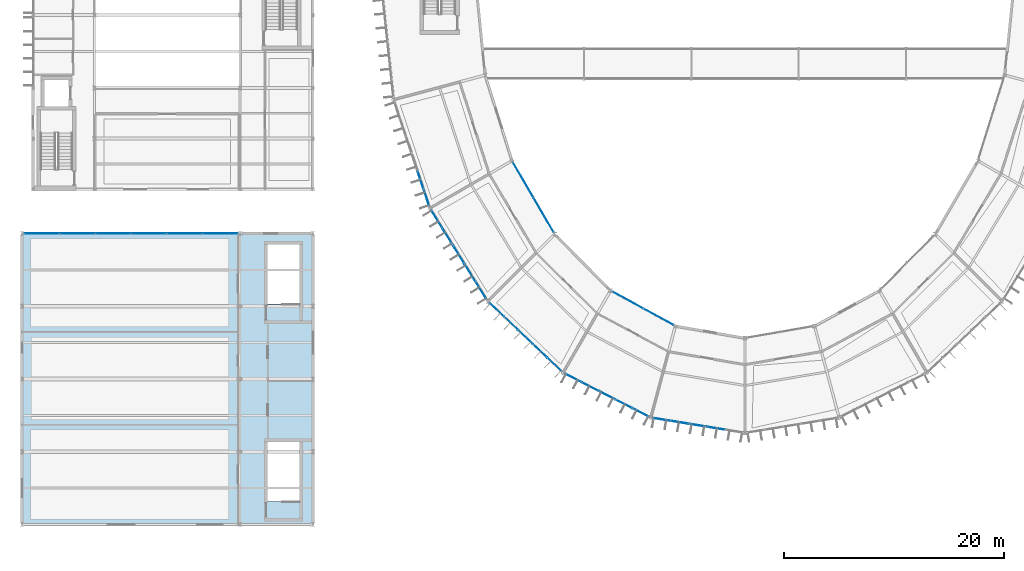
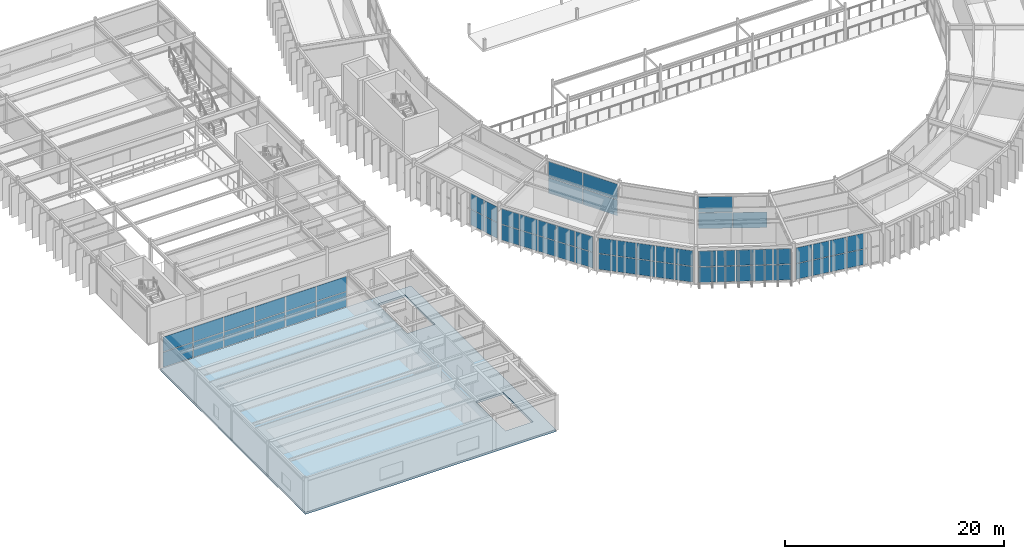
# One storey, part 99 of 147: 61 plates, 1 slab, 8 elements without a shape of their own.
"""IFC4 building model written with IfcOpenShell, lengths in metres."""

import ifcopenshell
import ifcopenshell.guid

model = None  # the IFC model being written
_history = None  # IfcOwnerHistory: only IFC2X3 demands one
_inside = {}  # id of a spatial element -> (the spatial element, [elements in it])
_under = {}  # id of a project, library or spatial element -> (it, [spatial elements below it])
_declared = {}  # id of a project -> (the project, [libraries it declares])
_typed = {}  # id of a type object -> (the type object, [elements of that type])
_made_of = {}  # id of a material, layer set ... -> (it, [elements and type objects made of it])


def new_model(schema):
    """Start an empty IFC model of exactly this schema.

    Asked for "IFC4X3", IfcOpenShell would pick the latest addendum, in which some entities
    have other attributes; the version numbers below select the first issue.
    IFC2X3 requires an IfcOwnerHistory on every rooted entity: one is made here for all.
    """
    global model, _history
    if schema == "IFC4X3":
        model = ifcopenshell.file(schema_version=(4, 3, 0, 0))
    else:
        model = ifcopenshell.file(schema=schema)
    _inside.clear()
    _under.clear()
    _declared.clear()
    _typed.clear()
    _made_of.clear()
    _history = None
    if model.schema == "IFC2X3":
        org = make("IfcOrganization", Name="unknown")
        user = make(
            "IfcPersonAndOrganization",
            ThePerson=make("IfcPerson", FamilyName="unknown"),
            TheOrganization=org,
        )
        app = make(
            "IfcApplication",
            ApplicationDeveloper=org,
            Version="unknown",
            ApplicationFullName="unknown",
            ApplicationIdentifier="unknown",
        )
        _history = make(
            "IfcOwnerHistory",
            OwningUser=user,
            OwningApplication=app,
            ChangeAction="ADDED",
            CreationDate=0,
        )
    return model


def make(cls, **values):
    """One entity of the class cls with the attributes given. An attribute that is None is left unset."""
    return model.create_entity(
        cls, **{name: value for name, value in values.items() if value is not None}
    )


def rooted(cls, **values):
    """An entity with a GlobalId (a new one), such as an element, a storey or a relation."""
    return make(cls, GlobalId=ifcopenshell.guid.new(), OwnerHistory=_history, **values)


def si_unit(unit_type, name, prefix=None):
    """IfcSIUnit, for example si_unit("LENGTHUNIT", "METRE", prefix="MILLI")."""
    return make("IfcSIUnit", UnitType=unit_type, Prefix=prefix, Name=name)


def assignment(units):
    """IfcUnitAssignment: the units of a project."""
    return None if units is None else make("IfcUnitAssignment", Units=units)


def point(xyz):
    """IfcCartesianPoint."""
    return None if xyz is None else make("IfcCartesianPoint", Coordinates=xyz)


def direction(xyz):
    """IfcDirection."""
    return None if xyz is None else make("IfcDirection", DirectionRatios=xyz)


def frame(location, z_axis=None, x_axis=None):
    """IfcAxis2Placement3D, a coordinate frame: its origin and axes. An axis left out is left unset."""
    return make(
        "IfcAxis2Placement3D",
        Location=point(location),
        Axis=direction(z_axis),
        RefDirection=direction(x_axis),
    )


def frame_2d(location, x_axis=None):
    """IfcAxis2Placement2D, a coordinate frame in the plane: its origin and x axis."""
    return make(
        "IfcAxis2Placement2D", Location=point(location), RefDirection=direction(x_axis)
    )


def origin():
    """The frame at (0, 0, 0) with its axes left unset."""
    return frame((0.0, 0.0, 0.0))


def origin_2d():
    """The frame at (0, 0) in the plane with its x axis left unset."""
    return frame_2d((0.0, 0.0))


def place(relative_to, where):
    """IfcLocalPlacement: puts the frame where relative to a parent placement (None: the world)."""
    return make(
        "IfcLocalPlacement", PlacementRelTo=relative_to, RelativePlacement=where
    )


def context(
    kind, dimensions, precision=None, world=None, true_north=None, identifier=None
):
    """IfcGeometricRepresentationContext, for example the 3D "Model" context."""
    return make(
        "IfcGeometricRepresentationContext",
        ContextIdentifier=identifier,
        ContextType=kind,
        CoordinateSpaceDimension=dimensions,
        Precision=precision,
        WorldCoordinateSystem=world,
        TrueNorth=true_north,
    )


def subcontext(parent, identifier, kind, view, scale=None):
    """IfcGeometricRepresentationSubContext, for example "Body" below "Model"."""
    return make(
        "IfcGeometricRepresentationSubContext",
        ContextIdentifier=identifier,
        ContextType=kind,
        ParentContext=parent,
        TargetScale=scale,
        TargetView=view,
    )


def project(units=None, contexts=None):
    """IfcProject with its units and contexts."""
    return rooted(
        "IfcProject",
        Name="project",
        RepresentationContexts=contexts,
        UnitsInContext=assignment(units),
    )


def spatial(cls, under=None, at=None, **own):
    """A site, building, storey or space (cls), placed at a placement, below another one or the project."""
    s = rooted(cls, ObjectPlacement=at, **own)
    if under is not None:
        _under.setdefault(under.id(), (under, []))[1].append(s)
    return s


def polyline(points):
    """IfcPolyline through the points."""
    return make("IfcPolyline", Points=[point(p) for p in points])


def profile(cls, at=None, kind="AREA", **sizes):
    """A parametric profile (cls). Its sizes go by their IFC names, for example OverallWidth=200.0."""
    return make(cls, ProfileType=kind, Position=at, **sizes)


def rectangle(**sizes):
    """IfcRectangleProfileDef."""
    return profile("IfcRectangleProfileDef", **sizes)


def outline(outer, holes=None, kind="AREA"):
    """IfcArbitraryClosedProfileDef: a profile drawn as a closed curve; with holes, ...WithVoids."""
    if holes is None:
        return make("IfcArbitraryClosedProfileDef", ProfileType=kind, OuterCurve=outer)
    return make(
        "IfcArbitraryProfileDefWithVoids",
        ProfileType=kind,
        OuterCurve=outer,
        InnerCurves=holes,
    )


def extrude(swept, where, along, depth):
    """IfcExtrudedAreaSolid: the profile swept, set in the frame where, extruded along a direction by depth."""
    return make(
        "IfcExtrudedAreaSolid",
        SweptArea=swept,
        Position=where,
        ExtrudedDirection=direction(along),
        Depth=depth,
    )


def shape(context_of_items, identifier, shape_type, items):
    """IfcShapeRepresentation: the items that make up one representation, for example the "Body"."""
    return make(
        "IfcShapeRepresentation",
        ContextOfItems=context_of_items,
        RepresentationIdentifier=identifier,
        RepresentationType=shape_type,
        Items=items,
    )


def material(Name=None, Category=None):
    """IfcMaterial."""
    return make("IfcMaterial", Name=Name, Category=Category)


def layer(
    of_material, thickness, ventilated=None, Name=None, Category=None, Priority=None
):
    """IfcMaterialLayer: one layer of a wall or slab, of a material (None: an air gap)."""
    return make(
        "IfcMaterialLayer",
        Material=of_material,
        LayerThickness=thickness,
        IsVentilated=ventilated,
        Name=Name,
        Category=Category,
        Priority=Priority,
    )


def layer_set(layers, Name=None):
    """IfcMaterialLayerSet."""
    return make("IfcMaterialLayerSet", MaterialLayers=layers, LayerSetName=Name)


def made_of(thing, what):
    """Note that an element or type object is made of a material, layer set ...; save() writes the relation."""
    if what is not None:
        _made_of.setdefault(what.id(), (what, []))[1].append(thing)
    return thing


def type_object(cls, material=None, **own):
    """A type object (cls), such as IfcWallType, which elements share."""
    return made_of(rooted(cls, **own), material)


def element(
    cls,
    number,
    at=None,
    inside=None,
    cuts=None,
    type_object=None,
    material=None,
    context=None,
    identifier="Body",
    shape_type=None,
    held_by="IfcProductDefinitionShape",
    body=None,
    shapes=None,
    **own,
):
    """One element of the class cls, such as IfcWall. Its Tag is "e" and its number.

    at: its placement. inside: the storey or other place that contains it. cuts: it is an
    opening in that element (IfcRelVoidsElement). A single representation is given by context,
    identifier, shape_type and body (its items); several are given by shapes. held_by: the class
    of the entity that holds the representations. save() writes the other relations.
    """
    e = rooted(cls, Tag="e%d" % number, ObjectPlacement=at, **own)
    if body is not None:
        shapes = [shape(context, identifier, shape_type, body)]
    if shapes is not None:
        e.Representation = make(held_by, Representations=shapes)
    if inside is not None:
        _inside.setdefault(inside.id(), (inside, []))[1].append(e)
    if cuts is not None:
        rooted(
            "IfcRelVoidsElement", RelatingBuildingElement=cuts, RelatedOpeningElement=e
        )
    if type_object is not None:
        _typed.setdefault(type_object.id(), (type_object, []))[1].append(e)
    return made_of(e, material)


def aggregate(whole, parts):
    """IfcRelAggregates: a whole, such as a stair, and the parts it consists of."""
    return rooted("IfcRelAggregates", RelatingObject=whole, RelatedObjects=parts)


def save(model, path):
    """Write the relations noted so far, then the file.

    IfcRelAggregates (storeys below a building ...), IfcRelContainedInSpatialStructure (elements
    in a storey), IfcRelDefinesByType, IfcRelAssociatesMaterial and IfcRelDeclares: one each for
    every whole, place, type object, material and project.
    """
    for whole, parts in _under.values():
        aggregate(whole, parts)
    for where, things in _inside.values():
        rooted(
            "IfcRelContainedInSpatialStructure",
            RelatedElements=things,
            RelatingStructure=where,
        )
    for kind, things in _typed.values():
        rooted("IfcRelDefinesByType", RelatedObjects=things, RelatingType=kind)
    for what, things in _made_of.values():
        rooted("IfcRelAssociatesMaterial", RelatedObjects=things, RelatingMaterial=what)
    for by, libraries in _declared.values():
        rooted("IfcRelDeclares", RelatingContext=by, RelatedDefinitions=libraries)
    model.write(path)


model = new_model("IFC4")

# Units and contexts
model_context = context("Model", 3, precision=1e-05, world=origin(), true_north=direction((0.0, 1.0)))
body_context = subcontext(model_context, "Body", "Model", "MODEL_VIEW")
ifc_project = project(units=[si_unit("LENGTHUNIT", "METRE"), si_unit("AREAUNIT", "SQUARE_METRE"), si_unit("VOLUMEUNIT", "CUBIC_METRE"), si_unit("PLANEANGLEUNIT", "RADIAN"), si_unit("MASSUNIT", "GRAM", prefix="KILO")], contexts=[model_context])

# Site, building, storey
site_placement = place(None, origin())
site = spatial("IfcSite", under=ifc_project, at=site_placement, CompositionType="ELEMENT")
building_placement = place(site_placement, origin())
building = spatial("IfcBuilding", under=site, at=building_placement, Name="Karori Crest Natural Sciences Institute", CompositionType="ELEMENT")
storey_placement = place(building_placement, frame((0.0, 0.0, 9.10009765625)))
storey = spatial("IfcBuildingStorey", under=building, at=storey_placement, Name="L02", CompositionType="ELEMENT", Elevation=9.10009765625)

# Curtain wall, plates
ifc_material_1 = material(Name="Anodised architectural aluminium 6063-T6", Category="aluminium")
curtain_wall_type_1 = type_object("IfcCurtainWallType", Name="CWT-15", PredefinedType="NOTDEFINED", material=ifc_material_1)
curtain_wall_1_placement = place(storey_placement, origin())
curtain_wall_1 = element("IfcCurtainWall", 1, at=curtain_wall_1_placement, inside=storey, type_object=curtain_wall_type_1, Name="Curtain wall CW-0086", PredefinedType="NOTDEFINED")
ifc_material_2 = material(Name="Double low-E laminated glass", Category="glass")
ifc_layer_1 = layer(ifc_material_2, 0.02392578125, Name="Double low-E laminated glass")
ifc_layer_set_1 = layer_set([ifc_layer_1], Name="Double low-E laminated glass")
plate_type_1 = type_object("IfcPlateType", Name="CWP-01", PredefinedType="CURTAIN_PANEL", material=ifc_layer_set_1)
plate_1_placement = place(storey_placement, frame((46.274658203125, 32.070556640625, 0.06005859375), z_axis=(0.0, 0.0, 1.0), x_axis=(0.502659683982, -0.864484379326, 0.0)))
plate_1 = element("IfcPlate", 2, at=plate_1_placement, type_object=plate_type_1, Name="CW-0086 panel 1.1", PredefinedType="CURTAIN_PANEL", context=body_context, shape_type="SweptSolid", body=[
    extrude(rectangle(XDim=3.602294921875, YDim=0.02392578125, at=origin_2d()), origin(), (0.0, 0.0, 1.0), 1.735107421875),
])
plate_2_placement = place(storey_placement, frame((46.274658203125, 32.070556640625, 1.85498046875), z_axis=(0.0, 0.0, 1.0), x_axis=(0.502659683982, -0.864484379326, 0.0)))
plate_2 = element("IfcPlate", 3, at=plate_2_placement, type_object=plate_type_1, Name="CW-0086 panel 1.2", PredefinedType="CURTAIN_PANEL", context=body_context, shape_type="SweptSolid", body=[
    extrude(rectangle(XDim=3.602294921875, YDim=0.02392578125, at=origin_2d()), origin(), (0.0, 0.0, 1.0), 1.735107421875),
])
plate_3_placement = place(storey_placement, frame((48.117919921875, 28.900146484375, 0.06005859375), z_axis=(0.0, 0.0, 1.0), x_axis=(0.502659683982, -0.864484379326, 0.0)))
plate_3 = element("IfcPlate", 4, at=plate_3_placement, type_object=plate_type_1, Name="CW-0086 panel 2.1", PredefinedType="CURTAIN_PANEL", context=body_context, shape_type="SweptSolid", body=[
    extrude(rectangle(XDim=3.602294921875, YDim=0.02392578125, at=origin_2d()), origin(), (0.0, 0.0, 1.0), 1.735107421875),
])
plate_4_placement = place(storey_placement, frame((48.117919921875, 28.900146484375, 1.85498046875), z_axis=(0.0, 0.0, 1.0), x_axis=(0.502659683982, -0.864484379326, 0.0)))
plate_4 = element("IfcPlate", 5, at=plate_4_placement, type_object=plate_type_1, Name="CW-0086 panel 2.2", PredefinedType="CURTAIN_PANEL", context=body_context, shape_type="SweptSolid", body=[
    extrude(rectangle(XDim=3.602294921875, YDim=0.02392578125, at=origin_2d()), origin(), (0.0, 0.0, 1.0), 1.735107421875),
])
aggregate(curtain_wall_1, [plate_1, plate_2, plate_3, plate_4])

curtain_wall_type_2 = type_object("IfcCurtainWallType", Name="CWT-06", PredefinedType="NOTDEFINED", material=ifc_material_1)
curtain_wall_2_placement = place(storey_placement, origin())
curtain_wall_2 = element("IfcCurtainWall", 6, at=curtain_wall_2_placement, inside=storey, type_object=curtain_wall_type_2, Name="Curtain wall CW-0087", PredefinedType="NOTDEFINED")
plate_5_placement = place(storey_placement, frame((49.103515625, 15.32177734375, 0.06005859375), z_axis=(0.0, 0.0, 1.0), x_axis=(-0.725477446992, 0.688245939986, 0.0)))
plate_5 = element("IfcPlate", 7, at=plate_5_placement, type_object=plate_type_1, Name="CW-0087 panel 1.1", PredefinedType="CURTAIN_PANEL", context=body_context, shape_type="SweptSolid", body=[
    extrude(rectangle(XDim=1.694091796875, YDim=0.02392578125, at=origin_2d()), origin(), (0.0, 0.0, 1.0), 1.722412109375),
])
plate_6_placement = place(storey_placement, frame((49.103515625, 15.32177734375, 1.84228515625), z_axis=(0.0, 0.0, 1.0), x_axis=(-0.725477446992, 0.688245939986, 0.0)))
plate_6 = element("IfcPlate", 8, at=plate_6_placement, type_object=plate_type_1, Name="CW-0087 panel 1.2", PredefinedType="CURTAIN_PANEL", context=body_context, shape_type="SweptSolid", body=[
    extrude(rectangle(XDim=1.694091796875, YDim=0.02392578125, at=origin_2d()), origin(), (0.0, 0.0, 1.0), 1.722412109375),
])
plate_7_placement = place(storey_placement, frame((47.806640625, 16.55224609375, 0.06005859375), z_axis=(0.0, 0.0, 1.0), x_axis=(-0.725477446992, 0.688245939986, 0.0)))
plate_7 = element("IfcPlate", 9, at=plate_7_placement, type_object=plate_type_1, Name="CW-0087 panel 2.1", PredefinedType="CURTAIN_PANEL", context=body_context, shape_type="SweptSolid", body=[
    extrude(rectangle(XDim=1.7314453125, YDim=0.02392578125, at=origin_2d()), origin(), (0.0, 0.0, 1.0), 1.722412109375),
])
plate_8_placement = place(storey_placement, frame((47.806640625, 16.55224609375, 1.84228515625), z_axis=(0.0, 0.0, 1.0), x_axis=(-0.725477446992, 0.688245939986, 0.0)))
plate_8 = element("IfcPlate", 10, at=plate_8_placement, type_object=plate_type_1, Name="CW-0087 panel 2.2", PredefinedType="CURTAIN_PANEL", context=body_context, shape_type="SweptSolid", body=[
    extrude(rectangle(XDim=1.7314453125, YDim=0.02392578125, at=origin_2d()), origin(), (0.0, 0.0, 1.0), 1.722412109375),
])
plate_9_placement = place(storey_placement, frame((46.49609375, 17.795654296875, 0.06005859375), z_axis=(0.0, 0.0, 1.0), x_axis=(-0.725477446992, 0.688245939986, 0.0)))
plate_9 = element("IfcPlate", 11, at=plate_9_placement, type_object=plate_type_1, Name="CW-0087 panel 3.1", PredefinedType="CURTAIN_PANEL", context=body_context, shape_type="SweptSolid", body=[
    extrude(rectangle(XDim=1.7314453125, YDim=0.02392578125, at=origin_2d()), origin(), (0.0, 0.0, 1.0), 1.722412109375),
])
plate_10_placement = place(storey_placement, frame((46.49609375, 17.795654296875, 1.84228515625), z_axis=(0.0, 0.0, 1.0), x_axis=(-0.725477446992, 0.688245939986, 0.0)))
plate_10 = element("IfcPlate", 12, at=plate_10_placement, type_object=plate_type_1, Name="CW-0087 panel 3.2", PredefinedType="CURTAIN_PANEL", context=body_context, shape_type="SweptSolid", body=[
    extrude(rectangle(XDim=1.7314453125, YDim=0.02392578125, at=origin_2d()), origin(), (0.0, 0.0, 1.0), 1.722412109375),
])
plate_11_placement = place(storey_placement, frame((45.185302734375, 19.038818359375, 0.06005859375), z_axis=(0.0, 0.0, 1.0), x_axis=(-0.725477446992, 0.688245939986, 0.0)))
plate_11 = element("IfcPlate", 13, at=plate_11_placement, type_object=plate_type_1, Name="CW-0087 panel 4.1", PredefinedType="CURTAIN_PANEL", context=body_context, shape_type="SweptSolid", body=[
    extrude(rectangle(XDim=1.7314453125, YDim=0.02392578125, at=origin_2d()), origin(), (0.0, 0.0, 1.0), 1.722412109375),
])
plate_12_placement = place(storey_placement, frame((45.185302734375, 19.038818359375, 1.84228515625), z_axis=(0.0, 0.0, 1.0), x_axis=(-0.725477446992, 0.688245939986, 0.0)))
plate_12 = element("IfcPlate", 14, at=plate_12_placement, type_object=plate_type_1, Name="CW-0087 panel 4.2", PredefinedType="CURTAIN_PANEL", context=body_context, shape_type="SweptSolid", body=[
    extrude(rectangle(XDim=1.7314453125, YDim=0.02392578125, at=origin_2d()), origin(), (0.0, 0.0, 1.0), 1.722412109375),
])
plate_13_placement = place(storey_placement, frame((43.888427734375, 20.269287109375, 0.06005859375), z_axis=(0.0, 0.0, 1.0), x_axis=(-0.725477446992, 0.688245939986, 0.0)))
plate_13 = element("IfcPlate", 15, at=plate_13_placement, type_object=plate_type_1, Name="CW-0087 panel 5.1", PredefinedType="CURTAIN_PANEL", context=body_context, shape_type="SweptSolid", body=[
    extrude(rectangle(XDim=1.694091796875, YDim=0.02392578125, at=origin_2d()), origin(), (0.0, 0.0, 1.0), 1.722412109375),
])
plate_14_placement = place(storey_placement, frame((43.888427734375, 20.269287109375, 1.84228515625), z_axis=(0.0, 0.0, 1.0), x_axis=(-0.725477446992, 0.688245939986, 0.0)))
plate_14 = element("IfcPlate", 16, at=plate_14_placement, type_object=plate_type_1, Name="CW-0087 panel 5.2", PredefinedType="CURTAIN_PANEL", context=body_context, shape_type="SweptSolid", body=[
    extrude(rectangle(XDim=1.694091796875, YDim=0.02392578125, at=origin_2d()), origin(), (0.0, 0.0, 1.0), 1.722412109375),
])
aggregate(curtain_wall_2, [plate_5, plate_6, plate_7, plate_8, plate_9, plate_10, plate_11, plate_12, plate_13, plate_14])

curtain_wall_type_3 = type_object("IfcCurtainWallType", Name="CWT-12", PredefinedType="NOTDEFINED", material=ifc_material_1)
curtain_wall_3_placement = place(storey_placement, origin())
curtain_wall_3 = element("IfcCurtainWall", 17, at=curtain_wall_3_placement, inside=storey, type_object=curtain_wall_type_3, Name="Curtain wall CW-0089", PredefinedType="NOTDEFINED")
plate_15_placement = place(storey_placement, frame((55.76904296875, 21.15625, 0.06005859375), z_axis=(0.0, 0.0, 1.0), x_axis=(0.877463514084, -0.479643389875, 0.0)))
plate_15 = element("IfcPlate", 18, at=plate_15_placement, type_object=plate_type_1, Name="CW-0089 panel 1.1", PredefinedType="CURTAIN_PANEL", context=body_context, shape_type="SweptSolid", body=[
    extrude(rectangle(XDim=3.102783203125, YDim=0.02392578125, at=origin_2d()), origin(), (0.0, 0.0, 1.0), 1.735107421875),
])
plate_16_placement = place(storey_placement, frame((55.76904296875, 21.15625, 1.85498046875), z_axis=(0.0, 0.0, 1.0), x_axis=(0.877463514084, -0.479643389875, 0.0)))
plate_16 = element("IfcPlate", 19, at=plate_16_placement, type_object=plate_type_1, Name="CW-0089 panel 1.2", PredefinedType="CURTAIN_PANEL", context=body_context, shape_type="SweptSolid", body=[
    extrude(rectangle(XDim=3.102783203125, YDim=0.02392578125, at=origin_2d()), origin(), (0.0, 0.0, 1.0), 1.735107421875),
])
plate_17_placement = place(storey_placement, frame((58.548583984375, 19.636962890625, 0.06005859375), z_axis=(0.0, 0.0, 1.0), x_axis=(0.877463514084, -0.479643389875, 0.0)))
plate_17 = element("IfcPlate", 20, at=plate_17_placement, type_object=plate_type_1, Name="CW-0089 panel 2.1", PredefinedType="CURTAIN_PANEL", context=body_context, shape_type="SweptSolid", body=[
    extrude(rectangle(XDim=3.102783203125, YDim=0.02392578125, at=origin_2d()), origin(), (0.0, 0.0, 1.0), 1.735107421875),
])
aggregate(curtain_wall_3, [plate_15, plate_16, plate_17])

curtain_wall_type_4 = type_object("IfcCurtainWallType", Name="CWT-16", PredefinedType="NOTDEFINED", material=ifc_material_1)
curtain_wall_4_placement = place(storey_placement, origin())
curtain_wall_4 = element("IfcCurtainWall", 21, at=curtain_wall_4_placement, inside=storey, type_object=curtain_wall_type_4, Name="Curtain wall CW-0253", PredefinedType="NOTDEFINED")
plate_18_placement = place(storey_placement, frame((2.6103515625, 27.199951171875, 0.059814453125), z_axis=(0.0, 0.0, 1.0), x_axis=(1.0, 0.0, 0.0)))
plate_18 = element("IfcPlate", 22, at=plate_18_placement, type_object=plate_type_1, Name="CW-0253 panel 1.1", PredefinedType="CURTAIN_PANEL", context=body_context, shape_type="SweptSolid", body=[
    extrude(rectangle(XDim=3.144775390625, YDim=0.02392578125, at=origin_2d()), origin(), (0.0, 0.0, 1.0), 1.66259765625),
])
plate_19_placement = place(storey_placement, frame((2.6103515625, 27.199951171875, 1.782470703125), z_axis=(0.0, 0.0, 1.0), x_axis=(1.0, 0.0, 0.0)))
plate_19 = element("IfcPlate", 23, at=plate_19_placement, type_object=plate_type_1, Name="CW-0253 panel 1.2", PredefinedType="CURTAIN_PANEL", context=body_context, shape_type="SweptSolid", body=[
    extrude(rectangle(XDim=3.144775390625, YDim=0.02392578125, at=origin_2d()), origin(), (0.0, 0.0, 1.0), 1.66259765625),
])
plate_20_placement = place(storey_placement, frame((5.83642578125, 27.199951171875, 0.059814453125), z_axis=(0.0, 0.0, 1.0), x_axis=(1.0, 0.0, 0.0)))
plate_20 = element("IfcPlate", 24, at=plate_20_placement, type_object=plate_type_1, Name="CW-0253 panel 2.1", PredefinedType="CURTAIN_PANEL", context=body_context, shape_type="SweptSolid", body=[
    extrude(rectangle(XDim=3.17724609375, YDim=0.02392578125, at=origin_2d()), origin(), (0.0, 0.0, 1.0), 1.66259765625),
])
plate_21_placement = place(storey_placement, frame((5.83642578125, 27.199951171875, 1.782470703125), z_axis=(0.0, 0.0, 1.0), x_axis=(1.0, 0.0, 0.0)))
plate_21 = element("IfcPlate", 25, at=plate_21_placement, type_object=plate_type_1, Name="CW-0253 panel 2.2", PredefinedType="CURTAIN_PANEL", context=body_context, shape_type="SweptSolid", body=[
    extrude(rectangle(XDim=3.17724609375, YDim=0.02392578125, at=origin_2d()), origin(), (0.0, 0.0, 1.0), 1.66259765625),
])
plate_22_placement = place(storey_placement, frame((9.078857421875, 27.199951171875, 0.059814453125), z_axis=(0.0, 0.0, 1.0), x_axis=(1.0, 0.0, 0.0)))
plate_22 = element("IfcPlate", 26, at=plate_22_placement, type_object=plate_type_1, Name="CW-0253 panel 3.1", PredefinedType="CURTAIN_PANEL", context=body_context, shape_type="SweptSolid", body=[
    extrude(rectangle(XDim=3.17724609375, YDim=0.02392578125, at=origin_2d()), origin(), (0.0, 0.0, 1.0), 1.66259765625),
])
plate_23_placement = place(storey_placement, frame((9.078857421875, 27.199951171875, 1.782470703125), z_axis=(0.0, 0.0, 1.0), x_axis=(1.0, 0.0, 0.0)))
plate_23 = element("IfcPlate", 27, at=plate_23_placement, type_object=plate_type_1, Name="CW-0253 panel 3.2", PredefinedType="CURTAIN_PANEL", context=body_context, shape_type="SweptSolid", body=[
    extrude(rectangle(XDim=3.17724609375, YDim=0.02392578125, at=origin_2d()), origin(), (0.0, 0.0, 1.0), 1.66259765625),
])
plate_24_placement = place(storey_placement, frame((12.321044921875, 27.199951171875, 0.059814453125), z_axis=(0.0, 0.0, 1.0), x_axis=(1.0, 0.0, 0.0)))
plate_24 = element("IfcPlate", 28, at=plate_24_placement, type_object=plate_type_1, Name="CW-0253 panel 4.1", PredefinedType="CURTAIN_PANEL", context=body_context, shape_type="SweptSolid", body=[
    extrude(rectangle(XDim=3.17724609375, YDim=0.02392578125, at=origin_2d()), origin(), (0.0, 0.0, 1.0), 1.66259765625),
])
plate_25_placement = place(storey_placement, frame((12.321044921875, 27.199951171875, 1.782470703125), z_axis=(0.0, 0.0, 1.0), x_axis=(1.0, 0.0, 0.0)))
plate_25 = element("IfcPlate", 29, at=plate_25_placement, type_object=plate_type_1, Name="CW-0253 panel 4.2", PredefinedType="CURTAIN_PANEL", context=body_context, shape_type="SweptSolid", body=[
    extrude(rectangle(XDim=3.17724609375, YDim=0.02392578125, at=origin_2d()), origin(), (0.0, 0.0, 1.0), 1.66259765625),
])
plate_26_placement = place(storey_placement, frame((15.5634765625, 27.199951171875, 0.059814453125), z_axis=(0.0, 0.0, 1.0), x_axis=(1.0, 0.0, 0.0)))
plate_26 = element("IfcPlate", 30, at=plate_26_placement, type_object=plate_type_1, Name="CW-0253 panel 5.1", PredefinedType="CURTAIN_PANEL", context=body_context, shape_type="SweptSolid", body=[
    extrude(rectangle(XDim=3.17724609375, YDim=0.02392578125, at=origin_2d()), origin(), (0.0, 0.0, 1.0), 1.66259765625),
])
plate_27_placement = place(storey_placement, frame((15.5634765625, 27.199951171875, 1.782470703125), z_axis=(0.0, 0.0, 1.0), x_axis=(1.0, 0.0, 0.0)))
plate_27 = element("IfcPlate", 31, at=plate_27_placement, type_object=plate_type_1, Name="CW-0253 panel 5.2", PredefinedType="CURTAIN_PANEL", context=body_context, shape_type="SweptSolid", body=[
    extrude(rectangle(XDim=3.17724609375, YDim=0.02392578125, at=origin_2d()), origin(), (0.0, 0.0, 1.0), 1.66259765625),
])
plate_28_placement = place(storey_placement, frame((18.78955078125, 27.199951171875, 0.059814453125), z_axis=(0.0, 0.0, 1.0), x_axis=(1.0, 0.0, 0.0)))
plate_28 = element("IfcPlate", 32, at=plate_28_placement, type_object=plate_type_1, Name="CW-0253 panel 6.1", PredefinedType="CURTAIN_PANEL", context=body_context, shape_type="SweptSolid", body=[
    extrude(rectangle(XDim=3.144775390625, YDim=0.02392578125, at=origin_2d()), origin(), (0.0, 0.0, 1.0), 1.66259765625),
])
plate_29_placement = place(storey_placement, frame((18.78955078125, 27.199951171875, 1.782470703125), z_axis=(0.0, 0.0, 1.0), x_axis=(1.0, 0.0, 0.0)))
plate_29 = element("IfcPlate", 33, at=plate_29_placement, type_object=plate_type_1, Name="CW-0253 panel 6.2", PredefinedType="CURTAIN_PANEL", context=body_context, shape_type="SweptSolid", body=[
    extrude(rectangle(XDim=3.144775390625, YDim=0.02392578125, at=origin_2d()), origin(), (0.0, 0.0, 1.0), 1.66259765625),
])
aggregate(curtain_wall_4, [plate_18, plate_19, plate_20, plate_21, plate_22, plate_23, plate_24, plate_25, plate_26, plate_27, plate_28, plate_29])

curtain_wall_type_5 = type_object("IfcCurtainWallType", Name="CWT-04", PredefinedType="NOTDEFINED", material=ifc_material_1)
curtain_wall_5_placement = place(storey_placement, origin())
curtain_wall_5 = element("IfcCurtainWall", 34, at=curtain_wall_5_placement, inside=storey, type_object=curtain_wall_type_5, Name="Curtain wall CW-0084", PredefinedType="NOTDEFINED")
ifc_layer_2 = layer(ifc_material_2, 0.033935546875, Name="Double low-E laminated glass")
ifc_layer_set_2 = layer_set([ifc_layer_2], Name="Double low-E laminated glass")
plate_type_2 = type_object("IfcPlateType", Name="CWP-02", PredefinedType="CURTAIN_PANEL", material=ifc_layer_set_2)
plate_30_placement = place(storey_placement, frame((37.49853515625, 30.462890625, 0.06005859375), z_axis=(0.0, 0.0, 1.0), x_axis=(-0.317685267462, 0.948196219586, 0.0)))
plate_30 = element("IfcPlate", 35, at=plate_30_placement, type_object=plate_type_2, Name="CW-0084 panel 1.1", PredefinedType="CURTAIN_PANEL", context=body_context, shape_type="SweptSolid", body=[
    extrude(rectangle(XDim=1.561279296875, YDim=0.033935546875, at=origin_2d()), origin(), (0.0, 0.0, 1.0), 1.722412109375),
])
plate_31_placement = place(storey_placement, frame((37.49853515625, 30.462890625, 1.84228515625), z_axis=(0.0, 0.0, 1.0), x_axis=(-0.317685267462, 0.948196219586, 0.0)))
plate_31 = element("IfcPlate", 36, at=plate_31_placement, type_object=plate_type_2, Name="CW-0084 panel 1.2", PredefinedType="CURTAIN_PANEL", context=body_context, shape_type="SweptSolid", body=[
    extrude(rectangle(XDim=1.561279296875, YDim=0.033935546875, at=origin_2d()), origin(), (0.0, 0.0, 1.0), 1.722412109375),
])
plate_32_placement = place(storey_placement, frame((36.972900390625, 32.0322265625, 0.06005859375), z_axis=(0.0, 0.0, 1.0), x_axis=(-0.317685267462, 0.948196219586, 0.0)))
plate_32 = element("IfcPlate", 37, at=plate_32_placement, type_object=plate_type_2, Name="CW-0084 panel 2.1", PredefinedType="CURTAIN_PANEL", context=body_context, shape_type="SweptSolid", body=[
    extrude(rectangle(XDim=1.5986328125, YDim=0.033935546875, at=origin_2d()), origin(), (0.0, 0.0, 1.0), 1.722412109375),
])
plate_33_placement = place(storey_placement, frame((36.972900390625, 32.0322265625, 1.84228515625), z_axis=(0.0, 0.0, 1.0), x_axis=(-0.317685267462, 0.948196219586, 0.0)))
plate_33 = element("IfcPlate", 38, at=plate_33_placement, type_object=plate_type_2, Name="CW-0084 panel 2.2", PredefinedType="CURTAIN_PANEL", context=body_context, shape_type="SweptSolid", body=[
    extrude(rectangle(XDim=1.5986328125, YDim=0.033935546875, at=origin_2d()), origin(), (0.0, 0.0, 1.0), 1.722412109375),
])
aggregate(curtain_wall_5, [plate_30, plate_31, plate_32, plate_33])

curtain_wall_type_6 = type_object("IfcCurtainWallType", Name="CWT-07", PredefinedType="NOTDEFINED", material=ifc_material_1)
curtain_wall_6_placement = place(storey_placement, origin())
curtain_wall_6 = element("IfcCurtainWall", 39, at=curtain_wall_6_placement, inside=storey, type_object=curtain_wall_type_6, Name="Curtain wall CW-0088", PredefinedType="NOTDEFINED")
plate_34_placement = place(storey_placement, frame((56.933837890625, 10.9638671875, 0.06494140625), z_axis=(0.0, 0.0, 1.0), x_axis=(-0.890065326982, 0.455832988828, 0.0)))
plate_34 = element("IfcPlate", 40, at=plate_34_placement, type_object=plate_type_2, Name="CW-0088 panel 1.1", PredefinedType="CURTAIN_PANEL", context=body_context, shape_type="SweptSolid", body=[
    extrude(rectangle(XDim=1.608642578125, YDim=0.033935546875, at=origin_2d()), origin(), (0.0, 0.0, 1.0), 1.715087890625),
])
plate_35_placement = place(storey_placement, frame((56.933837890625, 10.9638671875, 1.8447265625), z_axis=(0.0, 0.0, 1.0), x_axis=(-0.890065326982, 0.455832988828, 0.0)))
plate_35 = element("IfcPlate", 41, at=plate_35_placement, type_object=plate_type_2, Name="CW-0088 panel 1.2", PredefinedType="CURTAIN_PANEL", context=body_context, shape_type="SweptSolid", body=[
    extrude(rectangle(XDim=1.608642578125, YDim=0.033935546875, at=origin_2d()), origin(), (0.0, 0.0, 1.0), 1.715087890625),
])
plate_36_placement = place(storey_placement, frame((55.41845703125, 11.739990234375, 0.06494140625), z_axis=(0.0, 0.0, 1.0), x_axis=(-0.890065326982, 0.455832988828, 0.0)))
plate_36 = element("IfcPlate", 42, at=plate_36_placement, type_object=plate_type_2, Name="CW-0088 panel 2.1", PredefinedType="CURTAIN_PANEL", context=body_context, shape_type="SweptSolid", body=[
    extrude(rectangle(XDim=1.646240234375, YDim=0.033935546875, at=origin_2d()), origin(), (0.0, 0.0, 1.0), 1.715087890625),
])
plate_37_placement = place(storey_placement, frame((55.41845703125, 11.739990234375, 1.8447265625), z_axis=(0.0, 0.0, 1.0), x_axis=(-0.890065326982, 0.455832988828, 0.0)))
plate_37 = element("IfcPlate", 43, at=plate_37_placement, type_object=plate_type_2, Name="CW-0088 panel 2.2", PredefinedType="CURTAIN_PANEL", context=body_context, shape_type="SweptSolid", body=[
    extrude(rectangle(XDim=1.646240234375, YDim=0.033935546875, at=origin_2d()), origin(), (0.0, 0.0, 1.0), 1.715087890625),
])
plate_38_placement = place(storey_placement, frame((53.886474609375, 12.524658203125, 0.06494140625), z_axis=(0.0, 0.0, 1.0), x_axis=(-0.890065326982, 0.455832988828, 0.0)))
plate_38 = element("IfcPlate", 44, at=plate_38_placement, type_object=plate_type_2, Name="CW-0088 panel 3.1", PredefinedType="CURTAIN_PANEL", context=body_context, shape_type="SweptSolid", body=[
    extrude(rectangle(XDim=1.646240234375, YDim=0.033935546875, at=origin_2d()), origin(), (0.0, 0.0, 1.0), 1.715087890625),
])
plate_39_placement = place(storey_placement, frame((53.886474609375, 12.524658203125, 1.8447265625), z_axis=(0.0, 0.0, 1.0), x_axis=(-0.890065326982, 0.455832988828, 0.0)))
plate_39 = element("IfcPlate", 45, at=plate_39_placement, type_object=plate_type_2, Name="CW-0088 panel 3.2", PredefinedType="CURTAIN_PANEL", context=body_context, shape_type="SweptSolid", body=[
    extrude(rectangle(XDim=1.646240234375, YDim=0.033935546875, at=origin_2d()), origin(), (0.0, 0.0, 1.0), 1.715087890625),
])
plate_40_placement = place(storey_placement, frame((52.3544921875, 13.30908203125, 0.06494140625), z_axis=(0.0, 0.0, 1.0), x_axis=(-0.890065326982, 0.455832988828, 0.0)))
plate_40 = element("IfcPlate", 46, at=plate_40_placement, type_object=plate_type_2, Name="CW-0088 panel 4.1", PredefinedType="CURTAIN_PANEL", context=body_context, shape_type="SweptSolid", body=[
    extrude(rectangle(XDim=1.646240234375, YDim=0.033935546875, at=origin_2d()), origin(), (0.0, 0.0, 1.0), 1.715087890625),
])
plate_41_placement = place(storey_placement, frame((52.3544921875, 13.30908203125, 1.8447265625), z_axis=(0.0, 0.0, 1.0), x_axis=(-0.890065326982, 0.455832988828, 0.0)))
plate_41 = element("IfcPlate", 47, at=plate_41_placement, type_object=plate_type_2, Name="CW-0088 panel 4.2", PredefinedType="CURTAIN_PANEL", context=body_context, shape_type="SweptSolid", body=[
    extrude(rectangle(XDim=1.646240234375, YDim=0.033935546875, at=origin_2d()), origin(), (0.0, 0.0, 1.0), 1.715087890625),
])
plate_42_placement = place(storey_placement, frame((50.839111328125, 14.085205078125, 0.06494140625), z_axis=(0.0, 0.0, 1.0), x_axis=(-0.890065326982, 0.455832988828, 0.0)))
plate_42 = element("IfcPlate", 48, at=plate_42_placement, type_object=plate_type_2, Name="CW-0088 panel 5.1", PredefinedType="CURTAIN_PANEL", context=body_context, shape_type="SweptSolid", body=[
    extrude(rectangle(XDim=1.608642578125, YDim=0.033935546875, at=origin_2d()), origin(), (0.0, 0.0, 1.0), 1.715087890625),
])
plate_43_placement = place(storey_placement, frame((50.839111328125, 14.085205078125, 1.8447265625), z_axis=(0.0, 0.0, 1.0), x_axis=(-0.890065326982, 0.455832988828, 0.0)))
plate_43 = element("IfcPlate", 49, at=plate_43_placement, type_object=plate_type_2, Name="CW-0088 panel 5.2", PredefinedType="CURTAIN_PANEL", context=body_context, shape_type="SweptSolid", body=[
    extrude(rectangle(XDim=1.608642578125, YDim=0.033935546875, at=origin_2d()), origin(), (0.0, 0.0, 1.0), 1.715087890625),
])
aggregate(curtain_wall_6, [plate_34, plate_35, plate_36, plate_37, plate_38, plate_39, plate_40, plate_41, plate_42, plate_43])

curtain_wall_type_7 = type_object("IfcCurtainWallType", Name="CWT-05", PredefinedType="NOTDEFINED", material=ifc_material_1)
curtain_wall_7_placement = place(storey_placement, origin())
curtain_wall_7 = element("IfcCurtainWall", 50, at=curtain_wall_7_placement, inside=storey, type_object=curtain_wall_type_7, Name="Curtain wall CW-0085", PredefinedType="NOTDEFINED")
ifc_layer_3 = layer(ifc_material_2, 0.0439453125, Name="Double low-E laminated glass")
ifc_layer_set_3 = layer_set([ifc_layer_3], Name="Double low-E laminated glass")
plate_type_3 = type_object("IfcPlateType", Name="CWP-03", PredefinedType="CURTAIN_PANEL", material=ifc_layer_set_3)
plate_44_placement = place(storey_placement, frame((42.44921875, 22.04296875, 0.06494140625), z_axis=(0.0, 0.0, 1.0), x_axis=(-0.527321609902, 0.849665769424, 0.0)))
plate_44 = element("IfcPlate", 51, at=plate_44_placement, type_object=plate_type_3, Name="CW-0085 panel 1.1", PredefinedType="CURTAIN_PANEL", context=body_context, shape_type="SweptSolid", body=[
    extrude(rectangle(XDim=1.806396484375, YDim=0.0439453125, at=origin_2d()), origin(), (0.0, 0.0, 1.0), 1.715087890625),
])
plate_45_placement = place(storey_placement, frame((42.44921875, 22.04296875, 1.8447265625), z_axis=(0.0, 0.0, 1.0), x_axis=(-0.527321609902, 0.849665769424, 0.0)))
plate_45 = element("IfcPlate", 52, at=plate_45_placement, type_object=plate_type_3, Name="CW-0085 panel 1.2", PredefinedType="CURTAIN_PANEL", context=body_context, shape_type="SweptSolid", body=[
    extrude(rectangle(XDim=1.806396484375, YDim=0.0439453125, at=origin_2d()), origin(), (0.0, 0.0, 1.0), 1.715087890625),
])
plate_46_placement = place(storey_placement, frame((41.447265625, 23.657470703125, 0.06494140625), z_axis=(0.0, 0.0, 1.0), x_axis=(-0.527321609902, 0.849665769424, 0.0)))
plate_46 = element("IfcPlate", 53, at=plate_46_placement, type_object=plate_type_3, Name="CW-0085 panel 2.1", PredefinedType="CURTAIN_PANEL", context=body_context, shape_type="SweptSolid", body=[
    extrude(rectangle(XDim=1.843994140625, YDim=0.0439453125, at=origin_2d()), origin(), (0.0, 0.0, 1.0), 1.715087890625),
])
plate_47_placement = place(storey_placement, frame((41.447265625, 23.657470703125, 1.8447265625), z_axis=(0.0, 0.0, 1.0), x_axis=(-0.527321609902, 0.849665769424, 0.0)))
plate_47 = element("IfcPlate", 54, at=plate_47_placement, type_object=plate_type_3, Name="CW-0085 panel 2.2", PredefinedType="CURTAIN_PANEL", context=body_context, shape_type="SweptSolid", body=[
    extrude(rectangle(XDim=1.843994140625, YDim=0.0439453125, at=origin_2d()), origin(), (0.0, 0.0, 1.0), 1.715087890625),
])
plate_48_placement = place(storey_placement, frame((40.435302734375, 25.287841796875, 0.06494140625), z_axis=(0.0, 0.0, 1.0), x_axis=(-0.527321609902, 0.849665769424, 0.0)))
plate_48 = element("IfcPlate", 55, at=plate_48_placement, type_object=plate_type_3, Name="CW-0085 panel 3.1", PredefinedType="CURTAIN_PANEL", context=body_context, shape_type="SweptSolid", body=[
    extrude(rectangle(XDim=1.843994140625, YDim=0.0439453125, at=origin_2d()), origin(), (0.0, 0.0, 1.0), 1.715087890625),
])
plate_49_placement = place(storey_placement, frame((40.435302734375, 25.287841796875, 1.8447265625), z_axis=(0.0, 0.0, 1.0), x_axis=(-0.527321609902, 0.849665769424, 0.0)))
plate_49 = element("IfcPlate", 56, at=plate_49_placement, type_object=plate_type_3, Name="CW-0085 panel 3.2", PredefinedType="CURTAIN_PANEL", context=body_context, shape_type="SweptSolid", body=[
    extrude(rectangle(XDim=1.843994140625, YDim=0.0439453125, at=origin_2d()), origin(), (0.0, 0.0, 1.0), 1.715087890625),
])
plate_50_placement = place(storey_placement, frame((39.42333984375, 26.91845703125, 0.06494140625), z_axis=(0.0, 0.0, 1.0), x_axis=(-0.527321609902, 0.849665769424, 0.0)))
plate_50 = element("IfcPlate", 57, at=plate_50_placement, type_object=plate_type_3, Name="CW-0085 panel 4.1", PredefinedType="CURTAIN_PANEL", context=body_context, shape_type="SweptSolid", body=[
    extrude(rectangle(XDim=1.843994140625, YDim=0.0439453125, at=origin_2d()), origin(), (0.0, 0.0, 1.0), 1.715087890625),
])
plate_51_placement = place(storey_placement, frame((39.42333984375, 26.91845703125, 1.8447265625), z_axis=(0.0, 0.0, 1.0), x_axis=(-0.527321609902, 0.849665769424, 0.0)))
plate_51 = element("IfcPlate", 58, at=plate_51_placement, type_object=plate_type_3, Name="CW-0085 panel 4.2", PredefinedType="CURTAIN_PANEL", context=body_context, shape_type="SweptSolid", body=[
    extrude(rectangle(XDim=1.843994140625, YDim=0.0439453125, at=origin_2d()), origin(), (0.0, 0.0, 1.0), 1.715087890625),
])
plate_52_placement = place(storey_placement, frame((38.42138671875, 28.532958984375, 0.06494140625), z_axis=(0.0, 0.0, 1.0), x_axis=(-0.527321609902, 0.849665769424, 0.0)))
plate_52 = element("IfcPlate", 59, at=plate_52_placement, type_object=plate_type_3, Name="CW-0085 panel 5.1", PredefinedType="CURTAIN_PANEL", context=body_context, shape_type="SweptSolid", body=[
    extrude(rectangle(XDim=1.806396484375, YDim=0.0439453125, at=origin_2d()), origin(), (0.0, 0.0, 1.0), 1.715087890625),
])
plate_53_placement = place(storey_placement, frame((38.42138671875, 28.532958984375, 1.8447265625), z_axis=(0.0, 0.0, 1.0), x_axis=(-0.527321609902, 0.849665769424, 0.0)))
plate_53 = element("IfcPlate", 60, at=plate_53_placement, type_object=plate_type_3, Name="CW-0085 panel 5.2", PredefinedType="CURTAIN_PANEL", context=body_context, shape_type="SweptSolid", body=[
    extrude(rectangle(XDim=1.806396484375, YDim=0.0439453125, at=origin_2d()), origin(), (0.0, 0.0, 1.0), 1.715087890625),
])
aggregate(curtain_wall_7, [plate_44, plate_45, plate_46, plate_47, plate_48, plate_49, plate_50, plate_51, plate_52, plate_53])

curtain_wall_type_8 = type_object("IfcCurtainWallType", Name="CWT-08", PredefinedType="NOTDEFINED", material=ifc_material_1)
curtain_wall_8_placement = place(storey_placement, origin())
curtain_wall_8 = element("IfcCurtainWall", 61, at=curtain_wall_8_placement, inside=storey, type_object=curtain_wall_type_8, Name="Curtain wall CW-0090", PredefinedType="NOTDEFINED")
plate_54_placement = place(storey_placement, frame((63.777587890625, 9.52685546875, 0.06005859375), z_axis=(0.0, 0.0, 1.0), x_axis=(-0.987011117908, 0.160651962718, 0.0)))
plate_54 = element("IfcPlate", 62, at=plate_54_placement, type_object=plate_type_3, Name="CW-0090 panel 2.1", PredefinedType="CURTAIN_PANEL", context=body_context, shape_type="SweptSolid", body=[
    extrude(rectangle(XDim=1.592529296875, YDim=0.0439453125, at=origin_2d()), origin(), (0.0, 0.0, 1.0), 1.722412109375),
])
plate_55_placement = place(storey_placement, frame((63.777587890625, 9.52685546875, 1.84228515625), z_axis=(0.0, 0.0, 1.0), x_axis=(-0.987011117908, 0.160651962718, 0.0)))
plate_55 = element("IfcPlate", 63, at=plate_55_placement, type_object=plate_type_3, Name="CW-0090 panel 2.2", PredefinedType="CURTAIN_PANEL", context=body_context, shape_type="SweptSolid", body=[
    extrude(rectangle(XDim=1.592529296875, YDim=0.0439453125, at=origin_2d()), origin(), (0.0, 0.0, 1.0), 1.722412109375),
])
plate_56_placement = place(storey_placement, frame((62.131591796875, 9.794677734375, 0.06005859375), z_axis=(0.0, 0.0, 1.0), x_axis=(-0.987011117908, 0.160651962718, 0.0)))
plate_56 = element("IfcPlate", 64, at=plate_56_placement, type_object=plate_type_3, Name="CW-0090 panel 3.1", PredefinedType="CURTAIN_PANEL", context=body_context, shape_type="SweptSolid", body=[
    extrude(rectangle(XDim=1.592529296875, YDim=0.0439453125, at=origin_2d()), origin(), (0.0, 0.0, 1.0), 1.722412109375),
])
plate_57_placement = place(storey_placement, frame((62.131591796875, 9.794677734375, 1.84228515625), z_axis=(0.0, 0.0, 1.0), x_axis=(-0.987011117908, 0.160651962718, 0.0)))
plate_57 = element("IfcPlate", 65, at=plate_57_placement, type_object=plate_type_3, Name="CW-0090 panel 3.2", PredefinedType="CURTAIN_PANEL", context=body_context, shape_type="SweptSolid", body=[
    extrude(rectangle(XDim=1.592529296875, YDim=0.0439453125, at=origin_2d()), origin(), (0.0, 0.0, 1.0), 1.722412109375),
])
plate_58_placement = place(storey_placement, frame((60.48583984375, 10.062744140625, 0.06005859375), z_axis=(0.0, 0.0, 1.0), x_axis=(-0.987011117908, 0.160651962718, 0.0)))
plate_58 = element("IfcPlate", 66, at=plate_58_placement, type_object=plate_type_3, Name="CW-0090 panel 4.1", PredefinedType="CURTAIN_PANEL", context=body_context, shape_type="SweptSolid", body=[
    extrude(rectangle(XDim=1.592529296875, YDim=0.0439453125, at=origin_2d()), origin(), (0.0, 0.0, 1.0), 1.722412109375),
])
plate_59_placement = place(storey_placement, frame((60.48583984375, 10.062744140625, 1.84228515625), z_axis=(0.0, 0.0, 1.0), x_axis=(-0.987011117908, 0.160651962718, 0.0)))
plate_59 = element("IfcPlate", 67, at=plate_59_placement, type_object=plate_type_3, Name="CW-0090 panel 4.2", PredefinedType="CURTAIN_PANEL", context=body_context, shape_type="SweptSolid", body=[
    extrude(rectangle(XDim=1.592529296875, YDim=0.0439453125, at=origin_2d()), origin(), (0.0, 0.0, 1.0), 1.722412109375),
])
plate_60_placement = place(storey_placement, frame((58.8583984375, 10.32763671875, 0.06005859375), z_axis=(0.0, 0.0, 1.0), x_axis=(-0.987011117908, 0.160651962718, 0.0)))
plate_60 = element("IfcPlate", 68, at=plate_60_placement, type_object=plate_type_3, Name="CW-0090 panel 5.1", PredefinedType="CURTAIN_PANEL", context=body_context, shape_type="SweptSolid", body=[
    extrude(rectangle(XDim=1.55517578125, YDim=0.0439453125, at=origin_2d()), origin(), (0.0, 0.0, 1.0), 1.722412109375),
])
plate_61_placement = place(storey_placement, frame((58.8583984375, 10.32763671875, 1.84228515625), z_axis=(0.0, 0.0, 1.0), x_axis=(-0.987011117908, 0.160651962718, 0.0)))
plate_61 = element("IfcPlate", 69, at=plate_61_placement, type_object=plate_type_3, Name="CW-0090 panel 5.2", PredefinedType="CURTAIN_PANEL", context=body_context, shape_type="SweptSolid", body=[
    extrude(rectangle(XDim=1.55517578125, YDim=0.0439453125, at=origin_2d()), origin(), (0.0, 0.0, 1.0), 1.722412109375),
])
aggregate(curtain_wall_8, [plate_54, plate_55, plate_56, plate_57, plate_58, plate_59, plate_60, plate_61])

# Slab
ifc_material_3 = material(Name="Concrete 40 MPa", Category="concrete")
ifc_layer_4 = layer(ifc_material_3, 0.239990234375, Name="Concrete 40 MPa")
ifc_layer_set_4 = layer_set([ifc_layer_4], Name="Concrete 40 MPa")
slab_type = type_object("IfcSlabType", Name="SLT-06", PredefinedType="FLOOR", material=ifc_layer_set_4)
slab_placement = place(storey_placement, frame((0.0, 0.0, -0.239990234375)))
element("IfcSlab", 70, at=slab_placement, inside=storey, type_object=slab_type, Name="V2 Slab SL-0114", PredefinedType="FLOOR", context=body_context, shape_type="SweptSolid", body=[
    extrude(outline(polyline([(0.800048828125, 0.800048828125), (27.199951171875, 0.800048828125), (27.199951171875, 27.199951171875), (0.800048828125, 27.199951171875), (0.800048828125, 0.800048828125)]), holes=[polyline([(26.0, 2.900390625), (23.10009765625, 2.900390625), (23.10009765625, 8.300048828125), (26.0, 8.300048828125), (26.0, 2.900390625)]), polyline([(26.0, 20.800537109375), (23.10009765625, 20.800537109375), (23.10009765625, 26.199951171875), (26.0, 26.199951171875), (26.0, 20.800537109375)])]), origin(), (0.0, 0.0, 1.0), 0.239990234375),
])

save(model, "model.ifc")
